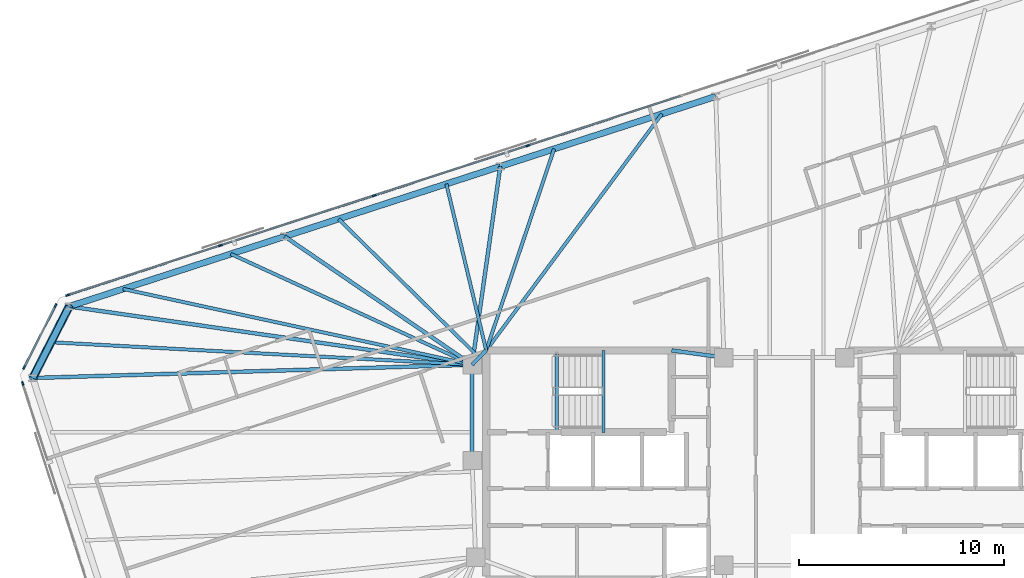
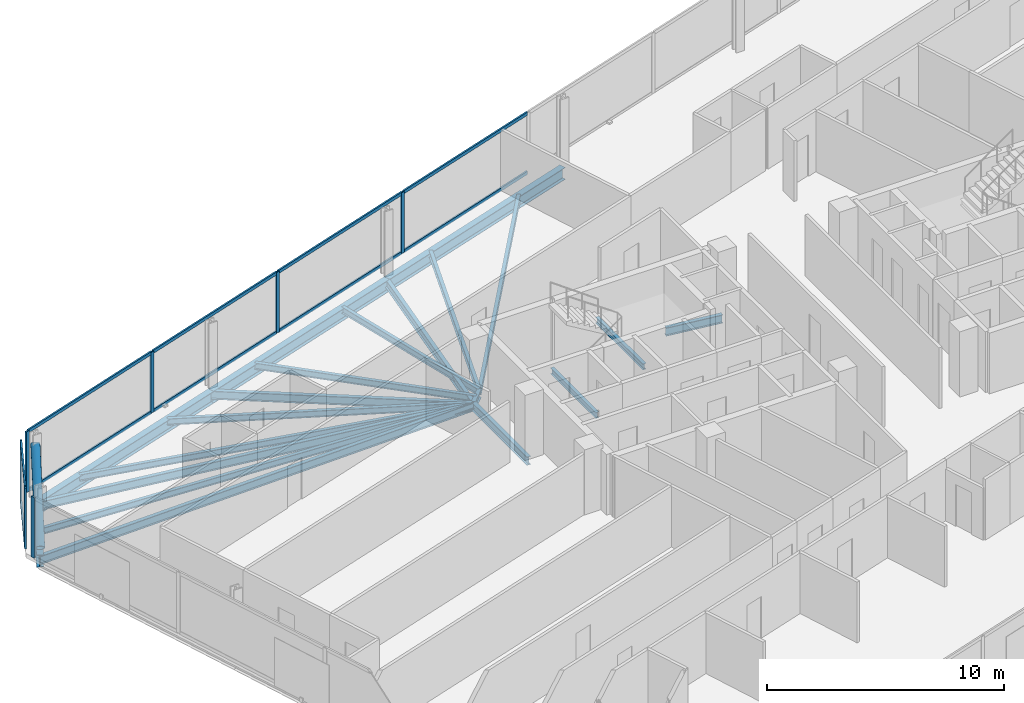
# One storey, part 9 of 19: 20 beams, 18 members, 3 elements without a shape of their own.
"""IFC4 building model written with IfcOpenShell, lengths in metres."""

from ifc_helpers import new_model, si_unit, direction, frame, origin, origin_2d, place, context, subcontext, project, spatial, rectangle, hollow_circle, i_section, extrude, material, material_profile, profile_set, type_object, element, aggregate, save


model = new_model("IFC4")

# Units and contexts
model_context = context("Model", 3, precision=1e-05, world=origin(), true_north=direction((0.0, 1.0)))
body_context = subcontext(model_context, "Body", "Model", "MODEL_VIEW")
ifc_project = project(units=[si_unit("LENGTHUNIT", "METRE"), si_unit("AREAUNIT", "SQUARE_METRE"), si_unit("VOLUMEUNIT", "CUBIC_METRE"), si_unit("PLANEANGLEUNIT", "RADIAN"), si_unit("MASSUNIT", "GRAM", prefix="KILO")], contexts=[model_context])

# Site, building, storey
site_placement = place(None, origin())
site = spatial("IfcSite", under=ifc_project, at=site_placement, CompositionType="ELEMENT")
building_placement = place(site_placement, origin())
building = spatial("IfcBuilding", under=site, at=building_placement, Name="Menara Jurai Vektor", CompositionType="ELEMENT")
storey_placement = place(building_placement, frame((0.0, 0.0, 234.35009765625)))
storey = spatial("IfcBuildingStorey", under=building, at=storey_placement, Name="L62", CompositionType="ELEMENT", Elevation=234.35009765625)

# Curtain wall, members
ifc_material_1 = material(Name="Anodised Pale Aluminium & Low-E Double Glazing", Category="aluminium")
curtain_wall_type = type_object("IfcCurtainWallType", Name="CW-BLK4", PredefinedType="NOTDEFINED", material=ifc_material_1)
curtain_wall_1_placement = place(storey_placement, origin())
curtain_wall_1 = element("IfcCurtainWall", 1, at=curtain_wall_1_placement, inside=storey, type_object=curtain_wall_type, Name="Unitised Curtain Wall L62 F05", PredefinedType="NOTDEFINED")
ifc_material_2 = material(Name="Anodised Pale Aluminium Mullion", Category="aluminium")
ifc_material_profile_1 = material_profile(ifc_material_2, rectangle(XDim=0.080078125, YDim=0.18994140625, at=origin_2d()), Name="ALU MUL 80x190")
ifc_profile_set_1 = profile_set([ifc_material_profile_1], Name="Anodised Pale Aluminium Mullion")
member_type_1 = type_object("IfcMemberType", Name="CW-BLK4-MUL", PredefinedType="MULLION", material=ifc_profile_set_1)
member_1_placement = place(storey_placement, frame((-12.532958984375, 15.601806640625, 0.0), z_axis=(0.0, 0.0, 1.0), x_axis=(0.309017344167, -0.951056402641, 0.0)))
member_1 = element("IfcMember", 2, at=member_1_placement, type_object=member_type_1, Name="CW-04 mullion 5", PredefinedType="MULLION", context=body_context, shape_type="SweptSolid", body=[
    extrude(rectangle(XDim=0.080078125, YDim=0.18994140625, at=origin_2d()), origin(), (0.0, 0.0, 1.0), 3.125),
])
member_2_placement = place(storey_placement, frame((-20.0380859375, 13.163330078125, 0.0), z_axis=(0.0, 0.0, 1.0), x_axis=(0.309017344167, -0.951056402641, 0.0)))
member_2 = element("IfcMember", 3, at=member_2_placement, type_object=member_type_1, Name="CW-04 mullion 6", PredefinedType="MULLION", context=body_context, shape_type="SweptSolid", body=[
    extrude(rectangle(XDim=0.080078125, YDim=0.18994140625, at=origin_2d()), origin(), (0.0, 0.0, 1.0), 3.125),
])
member_3_placement = place(storey_placement, frame((-27.543212890625, 10.724609375, 0.0), z_axis=(0.0, 0.0, 1.0), x_axis=(0.309017344167, -0.951056402641, 0.0)))
member_3 = element("IfcMember", 4, at=member_3_placement, type_object=member_type_1, Name="CW-04 mullion 7", PredefinedType="MULLION", context=body_context, shape_type="SweptSolid", body=[
    extrude(rectangle(XDim=0.080078125, YDim=0.18994140625, at=origin_2d()), origin(), (0.0, 0.0, 1.0), 3.125),
])
member_4_placement = place(storey_placement, frame((-35.010498046875, 8.29833984375, 0.0), z_axis=(0.0, 0.0, 1.0), x_axis=(0.309017344167, -0.951056402641, 0.0)))
member_4 = element("IfcMember", 5, at=member_4_placement, type_object=member_type_1, Name="CW-04 mullion 8", PredefinedType="MULLION", context=body_context, shape_type="SweptSolid", body=[
    extrude(rectangle(XDim=0.080078125, YDim=0.18994140625, at=origin_2d()), origin(), (0.0, 0.0, 1.0), 3.125),
])

curtain_wall_2_placement = place(storey_placement, origin())
curtain_wall_2 = element("IfcCurtainWall", 6, at=curtain_wall_2_placement, inside=storey, type_object=curtain_wall_type, Name="Unitised Curtain Wall L62 F06", PredefinedType="NOTDEFINED")
member_5_placement = place(storey_placement, frame((-35.6005859375, 7.79443359375, 0.0), z_axis=(0.0, 0.0, 1.0), x_axis=(0.89100750243, -0.453988579828, 0.0)))
member_5 = element("IfcMember", 7, at=member_5_placement, type_object=member_type_1, Name="CW-04 mullion 1", PredefinedType="MULLION", context=body_context, shape_type="SweptSolid", body=[
    extrude(rectangle(XDim=0.080078125, YDim=0.18994140625, at=origin_2d()), origin(), (0.0, 0.0, 1.0), 3.125),
])
member_6_placement = place(storey_placement, frame((-37.145263671875, 4.7626953125, 0.0), z_axis=(0.0, 0.0, 1.0), x_axis=(0.89100750243, -0.453988579828, 0.0)))
member_6 = element("IfcMember", 8, at=member_6_placement, type_object=member_type_1, Name="CW-04 mullion 2", PredefinedType="MULLION", context=body_context, shape_type="SweptSolid", body=[
    extrude(rectangle(XDim=0.080078125, YDim=0.18994140625, at=origin_2d()), origin(), (0.0, 0.0, 1.0), 3.125),
])

# Curtain wall, member
curtain_wall_3_placement = place(storey_placement, origin())
curtain_wall_3 = element("IfcCurtainWall", 9, at=curtain_wall_3_placement, inside=storey, type_object=curtain_wall_type, Name="Unitised Curtain Wall L62 F07", PredefinedType="NOTDEFINED")
member_7_placement = place(storey_placement, frame((-37.206298828125, 3.989013671875, 0.0), z_axis=(0.0, 0.0, 1.0), x_axis=(0.95105668295, 0.309016481464, 0.0)))
member_7 = element("IfcMember", 10, at=member_7_placement, type_object=member_type_1, Name="CW-04 mullion 1", PredefinedType="MULLION", context=body_context, shape_type="SweptSolid", body=[
    extrude(rectangle(XDim=0.080078125, YDim=0.18994140625, at=origin_2d()), origin(), (0.0, 0.0, 1.0), 3.125),
])
aggregate(curtain_wall_3, [member_7])

# Member
ifc_material_3 = material(Name="Anodised Pale Aluminium Transom", Category="aluminium")
ifc_material_profile_2 = material_profile(ifc_material_3, rectangle(XDim=0.080078125, YDim=0.1650390625, at=origin_2d()), Name="ALU TRN 80x165")
ifc_profile_set_2 = profile_set([ifc_material_profile_2], Name="Anodised Pale Aluminium Transom")
member_type_2 = type_object("IfcMemberType", Name="CW-BLK4-TRN", PredefinedType="USERDEFINED", material=ifc_profile_set_2)
member_8_placement = place(storey_placement, frame((-5.06591796875, 18.028076171875, 0.039794921875), z_axis=(-0.95105634578, -0.309017519167, 0.0), x_axis=(0.309017519167, -0.95105634578, 0.0)))
member_8 = element("IfcMember", 11, at=member_8_placement, type_object=member_type_2, Name="CW-04 transom 4.1", ObjectType="TRANSOM", PredefinedType="USERDEFINED", context=body_context, shape_type="SweptSolid", body=[
    extrude(rectangle(XDim=0.080078125, YDim=0.1650390625, at=origin_2d()), origin(), (0.0, 0.0, 1.0), 7.811279296875),
])

member_9_placement = place(storey_placement, frame((-5.06591796875, 18.028076171875, 3.0849609375), z_axis=(-0.95105634578, -0.309017519167, 0.0), x_axis=(0.309017519167, -0.95105634578, 0.0)))
member_9 = element("IfcMember", 12, at=member_9_placement, type_object=member_type_2, Name="CW-04 transom 4.2", ObjectType="TRANSOM", PredefinedType="USERDEFINED", context=body_context, shape_type="SweptSolid", body=[
    extrude(rectangle(XDim=0.080078125, YDim=0.1650390625, at=origin_2d()), origin(), (0.0, 0.0, 1.0), 7.811279296875),
])

member_10_placement = place(storey_placement, frame((-12.571044921875, 15.589599609375, 0.039794921875), z_axis=(-0.95104715984, -0.309045789099, 0.0), x_axis=(0.309045789099, -0.95104715984, 0.0)))
member_10 = element("IfcMember", 13, at=member_10_placement, type_object=member_type_2, Name="CW-04 transom 5.1", ObjectType="TRANSOM", PredefinedType="USERDEFINED", context=body_context, shape_type="SweptSolid", body=[
    extrude(rectangle(XDim=0.080078125, YDim=0.1650390625, at=origin_2d()), origin(), (0.0, 0.0, 1.0), 7.811279296875),
])

member_11_placement = place(storey_placement, frame((-12.571044921875, 15.589599609375, 3.0849609375), z_axis=(-0.95104715984, -0.309045789099, 0.0), x_axis=(0.309045789099, -0.95104715984, 0.0)))
member_11 = element("IfcMember", 14, at=member_11_placement, type_object=member_type_2, Name="CW-04 transom 5.2", ObjectType="TRANSOM", PredefinedType="USERDEFINED", context=body_context, shape_type="SweptSolid", body=[
    extrude(rectangle(XDim=0.080078125, YDim=0.1650390625, at=origin_2d()), origin(), (0.0, 0.0, 1.0), 7.811279296875),
])

member_12_placement = place(storey_placement, frame((-20.076171875, 13.15087890625, 0.039794921875), z_axis=(-0.951059330237, -0.309008333817, 0.0), x_axis=(0.309008333817, -0.951059330237, 0.0)))
member_12 = element("IfcMember", 15, at=member_12_placement, type_object=member_type_2, Name="CW-04 transom 6.1", ObjectType="TRANSOM", PredefinedType="USERDEFINED", context=body_context, shape_type="SweptSolid", body=[
    extrude(rectangle(XDim=0.080078125, YDim=0.1650390625, at=origin_2d()), origin(), (0.0, 0.0, 1.0), 7.8115234375),
])

member_13_placement = place(storey_placement, frame((-20.076171875, 13.15087890625, 3.0849609375), z_axis=(-0.951059330237, -0.309008333817, 0.0), x_axis=(0.309008333817, -0.951059330237, 0.0)))
member_13 = element("IfcMember", 16, at=member_13_placement, type_object=member_type_2, Name="CW-04 transom 6.2", ObjectType="TRANSOM", PredefinedType="USERDEFINED", context=body_context, shape_type="SweptSolid", body=[
    extrude(rectangle(XDim=0.080078125, YDim=0.1650390625, at=origin_2d()), origin(), (0.0, 0.0, 1.0), 7.8115234375),
])

member_14_placement = place(storey_placement, frame((-27.581298828125, 10.71240234375, 0.039794921875), z_axis=(-0.951052997543, -0.309027823771, 0.0), x_axis=(0.309027823771, -0.951052997543, 0.0)))
member_14 = element("IfcMember", 17, at=member_14_placement, type_object=member_type_2, Name="CW-04 transom 7.1", ObjectType="TRANSOM", PredefinedType="USERDEFINED", context=body_context, shape_type="SweptSolid", body=[
    extrude(rectangle(XDim=0.080078125, YDim=0.1650390625, at=origin_2d()), origin(), (0.0, 0.0, 1.0), 7.771484375),
])

member_15_placement = place(storey_placement, frame((-27.581298828125, 10.71240234375, 3.0849609375), z_axis=(-0.951052997543, -0.309027823771, 0.0), x_axis=(0.309027823771, -0.951052997543, 0.0)))
member_15 = element("IfcMember", 18, at=member_15_placement, type_object=member_type_2, Name="CW-04 transom 7.2", ObjectType="TRANSOM", PredefinedType="USERDEFINED", context=body_context, shape_type="SweptSolid", body=[
    extrude(rectangle(XDim=0.080078125, YDim=0.1650390625, at=origin_2d()), origin(), (0.0, 0.0, 1.0), 7.771484375),
])

aggregate(curtain_wall_1, [member_1, member_2, member_3, member_4, member_8, member_9, member_10, member_11, member_12, member_13, member_14, member_15])

member_16_placement = place(storey_placement, frame((-35.61865234375, 7.7587890625, 0.039794921875), z_axis=(-0.454019339544, -0.890991828986, 0.0), x_axis=(0.890991828986, -0.454019339544, 0.0)))
member_16 = element("IfcMember", 19, at=member_16_placement, type_object=member_type_2, Name="CW-04 transom 1.1", ObjectType="TRANSOM", PredefinedType="USERDEFINED", context=body_context, shape_type="SweptSolid", body=[
    extrude(rectangle(XDim=0.080078125, YDim=0.1650390625, at=origin_2d()), origin(), (0.0, 0.0, 1.0), 3.32275390625),
])

member_17_placement = place(storey_placement, frame((-35.61865234375, 7.7587890625, 3.0849609375), z_axis=(-0.454019339544, -0.890991828986, 0.0), x_axis=(0.890991828986, -0.454019339544, 0.0)))
member_17 = element("IfcMember", 20, at=member_17_placement, type_object=member_type_2, Name="CW-04 transom 1.2", ObjectType="TRANSOM", PredefinedType="USERDEFINED", context=body_context, shape_type="SweptSolid", body=[
    extrude(rectangle(XDim=0.080078125, YDim=0.1650390625, at=origin_2d()), origin(), (0.0, 0.0, 1.0), 3.32275390625),
])

aggregate(curtain_wall_2, [member_5, member_6, member_16, member_17])

# Beams
ifc_material_4 = material(Name="Steel S355", Category="steel")
ifc_material_profile_3 = material_profile(ifc_material_4, i_section(OverallWidth=0.18505859375, OverallDepth=0.429931640625, WebThickness=0.010986328125, FlangeThickness=0.01806640625, at=origin_2d()), Name="PG 430x185x76")
ifc_profile_set_3 = profile_set([ifc_material_profile_3], Name="Steel S355")
beam_type_1 = type_object("IfcBeamType", Name="STR-BM-430", PredefinedType="BEAM", material=ifc_profile_set_3)
beam_1_placement = place(storey_placement, frame((-15.25, 4.89990234375, -0.440185546875), z_axis=(0.701871936926, 0.712303154672, 0.0), x_axis=(-0.712303154672, 0.701871936926, 0.0)))
element("IfcBeam", 21, at=beam_1_placement, inside=storey, type_object=beam_type_1, Name="Core Ring Header Girder L62-CHW-N1", PredefinedType="BEAM", context=body_context, shape_type="SweptSolid", body=[
    extrude(i_section(OverallWidth=0.18505859375, OverallDepth=0.429931640625, WebThickness=0.010986328125, FlangeThickness=0.01806640625, at=origin_2d()), origin(), (0.0, 0.0, 1.0), 0.98291015625),
])
beam_2_placement = place(storey_placement, frame((-5.5, 5.60009765625, -0.440185546875), z_axis=(0.990706818608, -0.136014703483, 0.0), x_axis=(0.136014703483, 0.990706818608, 0.0)))
element("IfcBeam", 22, at=beam_2_placement, inside=storey, type_object=beam_type_1, Name="Core Ring Header Girder L62-CHW-N2", PredefinedType="BEAM", context=body_context, shape_type="SweptSolid", body=[
    extrude(i_section(OverallWidth=0.18505859375, OverallDepth=0.429931640625, WebThickness=0.010986328125, FlangeThickness=0.01806640625, at=origin_2d()), origin(), (0.0, 0.0, 1.0), 2.573974609375),
])
beam_3_placement = place(storey_placement, frame((-15.25, 0.219970703125, -0.440185546875), z_axis=(0.0, 1.0, 0.0), x_axis=(-1.0, 0.0, 0.0)))
element("IfcBeam", 23, at=beam_3_placement, inside=storey, type_object=beam_type_1, Name="Core Ring Header Girder L62-CHW-W1", PredefinedType="BEAM", context=body_context, shape_type="SweptSolid", body=[
    extrude(i_section(OverallWidth=0.18505859375, OverallDepth=0.429931640625, WebThickness=0.010986328125, FlangeThickness=0.01806640625, at=origin_2d()), origin(), (0.0, 0.0, 1.0), 4.679931640625),
])
beam_4_placement = place(storey_placement, frame((-13.875, 14.58740234375, -0.440185546875), z_axis=(-0.140527035582, -0.990076841599, 0.0), x_axis=(0.990076841599, -0.140527035582, 0.0)))
element("IfcBeam", 24, at=beam_4_placement, inside=storey, type_object=beam_type_1, Name="Radial Floor Girder L62-N4", PredefinedType="BEAM", context=body_context, shape_type="SweptSolid", body=[
    extrude(i_section(OverallWidth=0.18505859375, OverallDepth=0.429931640625, WebThickness=0.010986328125, FlangeThickness=0.01806640625, at=origin_2d()), origin(), (0.0, 0.0, 1.0), 9.78466796875),
])
beam_5_placement = place(storey_placement, frame((-24.404296875, 11.166259765625, -0.440185546875), z_axis=(0.825185786768, -0.564861414257, 0.0), x_axis=(0.564861414257, 0.825185786768, 0.0)))
element("IfcBeam", 25, at=beam_5_placement, inside=storey, type_object=beam_type_1, Name="Radial Floor Girder L62-N5", PredefinedType="BEAM", context=body_context, shape_type="SweptSolid", body=[
    extrude(i_section(OverallWidth=0.18505859375, OverallDepth=0.429931640625, WebThickness=0.010986328125, FlangeThickness=0.01806640625, at=origin_2d()), origin(), (0.0, 0.0, 1.0), 11.093505859375),
])
beam_6_placement = place(storey_placement, frame((-34.93359375, 7.7451171875, -0.440185546875), z_axis=(0.989713916117, -0.14306070126, 0.0), x_axis=(0.14306070126, 0.989713916117, 0.0)))
element("IfcBeam", 26, at=beam_6_placement, inside=storey, type_object=beam_type_1, Name="Radial Floor Girder L62-N6", PredefinedType="BEAM", context=body_context, shape_type="SweptSolid", body=[
    extrude(i_section(OverallWidth=0.18505859375, OverallDepth=0.429931640625, WebThickness=0.010986328125, FlangeThickness=0.01806640625, at=origin_2d()), origin(), (0.0, 0.0, 1.0), 19.88818359375),
])
beam_7_placement = place(storey_placement, frame((-36.71337890625, 4.251953125, -0.440185546875), z_axis=(0.999544635638, 0.030174846589, 0.0), x_axis=(-0.030174846589, 0.999544635638, 0.0)))
element("IfcBeam", 27, at=beam_7_placement, inside=storey, type_object=beam_type_1, Name="Radial Floor Girder L62-W1", PredefinedType="BEAM", context=body_context, shape_type="SweptSolid", body=[
    extrude(i_section(OverallWidth=0.18505859375, OverallDepth=0.429931640625, WebThickness=0.010986328125, FlangeThickness=0.01806640625, at=origin_2d()), origin(), (0.0, 0.0, 1.0), 21.47314453125),
])

# Member
ifc_material_5 = material(Name="Steel S460", Category="steel")
ifc_material_profile_4 = material_profile(ifc_material_5, hollow_circle(Radius=0.203125, WallThickness=0.01611328125, at=origin_2d()), Name="CHS 406.4x16")
ifc_profile_set_4 = profile_set([ifc_material_profile_4], Name="Steel S460")
member_type_3 = type_object("IfcMemberType", Name="STR-BR-406", PredefinedType="BRACE", material=ifc_profile_set_4)
member_18_placement = place(storey_placement, frame((-36.71337890625, 4.251953125, 0.14990234375), z_axis=(0.377225079071, 0.740375367811, 0.556368182465), x_axis=(-0.891013832566, 0.453976155955, 0.0)))
element("IfcMember", 28, at=member_18_placement, inside=storey, type_object=member_type_3, Name="Exoskeleton Corner Brace L62-3", PredefinedType="BRACE", context=body_context, shape_type="SweptSolid", body=[
    extrude(hollow_circle(Radius=0.203125, WallThickness=0.01611328125, at=origin_2d()), origin(), (0.0, 0.0, 1.0), 4.718017578125),
])

# Beams
ifc_material_profile_5 = material_profile(ifc_material_4, i_section(OverallWidth=0.1650390625, OverallDepth=0.330078125, WebThickness=0.009033203125, FlangeThickness=0.013916015625, at=origin_2d()), Name="PG 330x165x46")
ifc_profile_set_5 = profile_set([ifc_material_profile_5], Name="Steel S355")
beam_type_2 = type_object("IfcBeamType", Name="STR-JS-330", PredefinedType="JOIST", material=ifc_profile_set_5)
beam_8_placement = place(storey_placement, frame((-5.97802734375, 17.1533203125, -0.39013671875), z_axis=(-0.59630776033, -0.802755912448, 0.0), x_axis=(0.802755912448, -0.59630776033, 0.0)))
element("IfcBeam", 29, at=beam_8_placement, inside=storey, type_object=beam_type_2, Name="Radial Secondary Floor Joist L62-JS21", PredefinedType="JOIST", context=body_context, shape_type="SweptSolid", body=[
    extrude(i_section(OverallWidth=0.1650390625, OverallDepth=0.330078125, WebThickness=0.009033203125, FlangeThickness=0.013916015625, at=origin_2d()), origin(), (0.0, 0.0, 1.0), 14.391845703125),
])
beam_9_placement = place(storey_placement, frame((-11.24267578125, 15.44287109375, -0.39013671875), z_axis=(-0.319385076217, -0.94762501713, 0.0), x_axis=(0.94762501713, -0.319385076217, 0.0)))
element("IfcBeam", 30, at=beam_9_placement, inside=storey, type_object=beam_type_2, Name="Radial Secondary Floor Joist L62-JS22", PredefinedType="JOIST", context=body_context, shape_type="SweptSolid", body=[
    extrude(i_section(OverallWidth=0.1650390625, OverallDepth=0.330078125, WebThickness=0.009033203125, FlangeThickness=0.013916015625, at=origin_2d()), origin(), (0.0, 0.0, 1.0), 10.38671875),
])
beam_10_placement = place(storey_placement, frame((-16.50732421875, 13.732177734375, -0.39013671875), z_axis=(0.23287158907, -0.972507492518, 0.0), x_axis=(0.972507492518, 0.23287158907, 0.0)))
element("IfcBeam", 31, at=beam_10_placement, inside=storey, type_object=beam_type_2, Name="Radial Secondary Floor Joist L62-JS23", PredefinedType="JOIST", context=body_context, shape_type="SweptSolid", body=[
    extrude(i_section(OverallWidth=0.1650390625, OverallDepth=0.330078125, WebThickness=0.009033203125, FlangeThickness=0.013916015625, at=origin_2d()), origin(), (0.0, 0.0, 1.0), 8.362060546875),
])
beam_11_placement = place(storey_placement, frame((-21.77197265625, 12.021484375, -0.39013671875), z_axis=(0.7121893722, -0.701987391714, 0.0), x_axis=(0.701987391714, 0.7121893722, 0.0)))
element("IfcBeam", 32, at=beam_11_placement, inside=storey, type_object=beam_type_2, Name="Radial Secondary Floor Joist L62-JS24", PredefinedType="JOIST", context=body_context, shape_type="SweptSolid", body=[
    extrude(i_section(OverallWidth=0.1650390625, OverallDepth=0.330078125, WebThickness=0.009033203125, FlangeThickness=0.013916015625, at=origin_2d()), origin(), (0.0, 0.0, 1.0), 9.64404296875),
])
beam_12_placement = place(storey_placement, frame((-27.03662109375, 10.31103515625, -0.39013671875), z_axis=(0.908803804095, -0.417223735738, 0.0), x_axis=(0.417223735738, 0.908803804095, 0.0)))
element("IfcBeam", 33, at=beam_12_placement, inside=storey, type_object=beam_type_2, Name="Radial Secondary Floor Joist L62-JS25", PredefinedType="JOIST", context=body_context, shape_type="SweptSolid", body=[
    extrude(i_section(OverallWidth=0.1650390625, OverallDepth=0.330078125, WebThickness=0.009033203125, FlangeThickness=0.013916015625, at=origin_2d()), origin(), (0.0, 0.0, 1.0), 12.969482421875),
])
beam_13_placement = place(storey_placement, frame((-32.30126953125, 8.600341796875, -0.39013671875), z_axis=(0.977251946396, -0.212081666498, 0.0), x_axis=(0.212081666498, 0.977251946396, 0.0)))
element("IfcBeam", 34, at=beam_13_placement, inside=storey, type_object=beam_type_2, Name="Radial Secondary Floor Joist L62-JS26", PredefinedType="JOIST", context=body_context, shape_type="SweptSolid", body=[
    extrude(i_section(OverallWidth=0.1650390625, OverallDepth=0.330078125, WebThickness=0.009033203125, FlangeThickness=0.013916015625, at=origin_2d()), origin(), (0.0, 0.0, 1.0), 17.4482421875),
])
beam_14_placement = place(storey_placement, frame((-35.823486328125, 5.99853515625, -0.39013671875), z_axis=(0.998577239708, -0.053324444086, 0.0), x_axis=(0.053324444086, 0.998577239708, 0.0)))
element("IfcBeam", 35, at=beam_14_placement, inside=storey, type_object=beam_type_2, Name="Radial Secondary Floor Joist L62-JS27", PredefinedType="JOIST", context=body_context, shape_type="SweptSolid", body=[
    extrude(i_section(OverallWidth=0.1650390625, OverallDepth=0.330078125, WebThickness=0.009033203125, FlangeThickness=0.013916015625, at=origin_2d()), origin(), (0.0, 0.0, 1.0), 20.602783203125),
])
ifc_material_profile_6 = material_profile(ifc_material_4, i_section(OverallWidth=0.1650390625, OverallDepth=0.302978515625, WebThickness=0.006103515625, FlangeThickness=0.010009765625, FilletRadius=0.009033203125, at=origin_2d()), Name="UKB 305x165x40")
ifc_profile_set_6 = profile_set([ifc_material_profile_6], Name="Steel S355")
beam_type_3 = type_object("IfcBeamType", Name="STR-LN-305", PredefinedType="LINTEL", material=ifc_profile_set_6)
beam_15_placement = place(storey_placement, frame((-11.1201171875, 1.60009765625, -0.376708984375), z_axis=(0.0, 1.0, 0.0), x_axis=(-1.0, 0.0, 0.0)))
element("IfcBeam", 36, at=beam_15_placement, inside=storey, type_object=beam_type_3, Name="Stair Well Floor Trimmer ST1 L62", PredefinedType="LINTEL", context=body_context, shape_type="SweptSolid", body=[
    extrude(i_section(OverallWidth=0.1650390625, OverallDepth=0.302978515625, WebThickness=0.006103515625, FlangeThickness=0.010009765625, FilletRadius=0.009033203125, at=origin_2d()), origin(), (0.0, 0.0, 1.0), 3.81982421875),
])
beam_16_placement = place(storey_placement, frame((-8.830078125, 1.60009765625, 1.323486328125), z_axis=(0.0, 1.0, 0.0), x_axis=(-1.0, 0.0, 0.0)))
element("IfcBeam", 37, at=beam_16_placement, inside=storey, type_object=beam_type_3, Name="Stair Half-Landing Nosing Trimmer ST1-1 L62", PredefinedType="LINTEL", context=body_context, shape_type="SweptSolid", body=[
    extrude(i_section(OverallWidth=0.1650390625, OverallDepth=0.302978515625, WebThickness=0.006103515625, FlangeThickness=0.010009765625, FilletRadius=0.009033203125, at=origin_2d()), origin(), (0.0, 0.0, 1.0), 4.0),
])
ifc_material_profile_7 = material_profile(ifc_material_4, i_section(OverallWidth=0.306884765625, OverallDepth=0.6201171875, WebThickness=0.013916015625, FlangeThickness=0.02392578125, FilletRadius=0.01708984375, at=origin_2d()), Name="UKB 610x305x179")
ifc_profile_set_7 = profile_set([ifc_material_profile_7], Name="Steel S355")
beam_type_4 = type_object("IfcBeamType", Name="STR-SP-610", PredefinedType="SPANDREL", material=ifc_profile_set_7)
for number, where, z_axis, x_axis, name in (
    (38, (-3.345703125, 18.008544921875, -0.53515625), (-0.951057401967, -0.309014268544, 0.0), (0.309014268544, -0.951057401967, 0.0), "Exoskeleton Spandrel Beam L62-13"),
    (39, (-13.875, 14.58740234375, -0.53515625), (-0.951057401967, -0.309014268544, 0.0), (0.309014268544, -0.951057401967, 0.0), "Exoskeleton Spandrel Beam L62-14"),
    (40, (-24.404296875, 11.166259765625, -0.53515625), (-0.951057401967, -0.309014268544, 0.0), (0.309014268544, -0.951057401967, 0.0), "Exoskeleton Spandrel Beam L62-15"),
):
    element("IfcBeam", number, at=place(storey_placement, frame(where, z_axis=z_axis, x_axis=x_axis)), inside=storey, type_object=beam_type_4, Name=name, PredefinedType="SPANDREL", context=body_context, shape_type="SweptSolid", body=[
        extrude(i_section(OverallWidth=0.306884765625, OverallDepth=0.6201171875, WebThickness=0.013916015625, FlangeThickness=0.02392578125, FilletRadius=0.01708984375, at=origin_2d()), origin(), (0.0, 0.0, 1.0), 11.071044921875),
    ])
beam_17_placement = place(storey_placement, frame((-34.93359375, 7.7451171875, -0.53515625), z_axis=(-0.453976155955, -0.891013832566, 0.0), x_axis=(0.891013832566, -0.453976155955, 0.0)))
element("IfcBeam", 41, at=beam_17_placement, inside=storey, type_object=beam_type_4, Name="Exoskeleton Spandrel Beam L62-16", PredefinedType="SPANDREL", context=body_context, shape_type="SweptSolid", body=[
    extrude(i_section(OverallWidth=0.306884765625, OverallDepth=0.6201171875, WebThickness=0.013916015625, FlangeThickness=0.02392578125, FilletRadius=0.01708984375, at=origin_2d()), origin(), (0.0, 0.0, 1.0), 3.92041015625),
])

save(model, "model.ifc")
